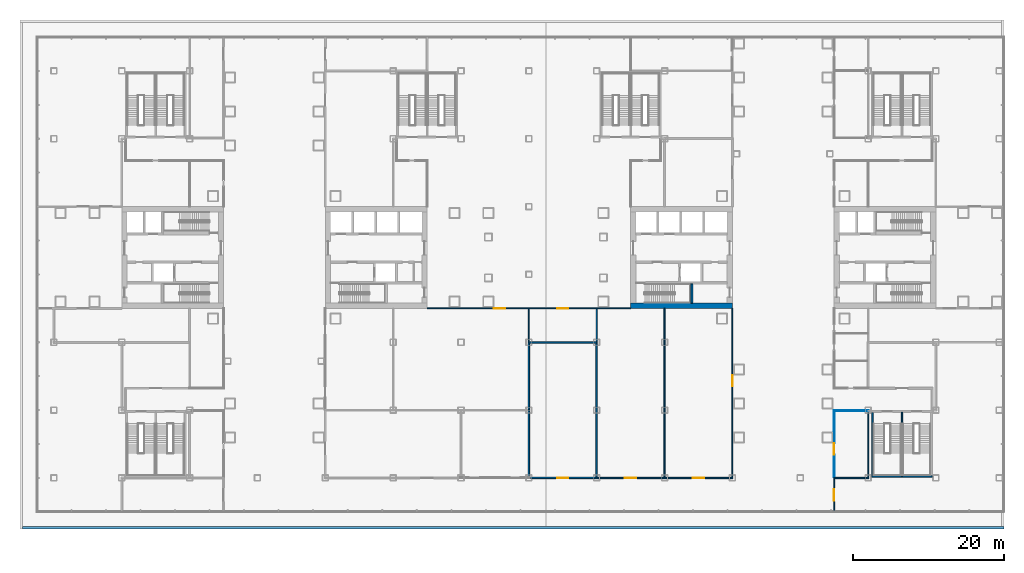
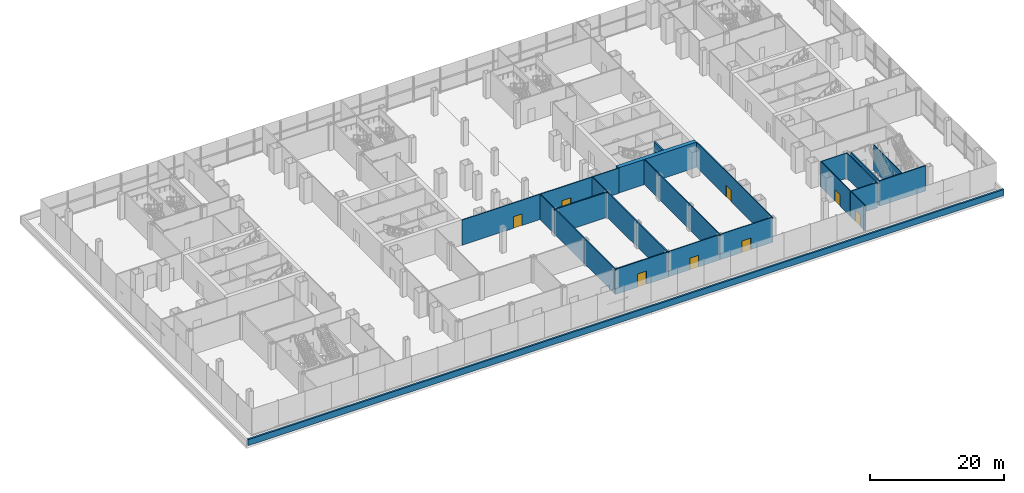
# One storey, part 23 of 33: 23 walls, 8 doors, 8 openings.
"""IFC4 building model written with IfcOpenShell, lengths in metres."""

from ifc_helpers import new_model, si_unit, direction, frame, frame_2d, origin, place, context, subcontext, project, spatial, rectangle, extrude, material, layer, layer_set, type_object, element, fill, save


model = new_model("IFC4")

# Units and contexts
model_context = context("Model", 3, precision=1e-05, world=origin(), true_north=direction((0.0, 1.0)))
body_context = subcontext(model_context, "Body", "Model", "MODEL_VIEW")
ifc_project = project(units=[si_unit("LENGTHUNIT", "METRE"), si_unit("AREAUNIT", "SQUARE_METRE"), si_unit("VOLUMEUNIT", "CUBIC_METRE"), si_unit("PLANEANGLEUNIT", "RADIAN"), si_unit("MASSUNIT", "GRAM", prefix="KILO")], contexts=[model_context])

# Site, building, storey
site_placement = place(None, origin())
site = spatial("IfcSite", under=ifc_project, at=site_placement, CompositionType="ELEMENT")
building_placement = place(site_placement, origin())
building = spatial("IfcBuilding", under=site, at=building_placement, Name="Shamsa Quay Exchange Towers", CompositionType="ELEMENT")
storey_placement = place(building_placement, frame((0.0, 0.0, 18.5)))
storey = spatial("IfcBuildingStorey", under=building, at=storey_placement, Name="L03", CompositionType="ELEMENT", Elevation=18.5)

# Wall
ifc_material_1 = material(Name="Concrete C80/95", Category="concrete")
ifc_layer_1 = layer(ifc_material_1, 0.699951171875)
ifc_layer_set_1 = layer_set([ifc_layer_1], Name="CORE WALL 700 C80/95")
wall_type_1 = type_object("IfcWallType", Name="CORE WALL 700 C80/95", PredefinedType="SHEAR", material=ifc_layer_set_1)
wall_1_placement = place(storey_placement, frame((13.5, -6.39990234375, 0.0)))
element("IfcWall", 1, at=wall_1_placement, inside=storey, type_object=wall_type_1, Name="Core wall T2A-L03-PS", PredefinedType="SHEAR", context=body_context, shape_type="SweptSolid", body=[
    extrude(rectangle(XDim=13.5, YDim=0.699951171875, at=frame_2d((6.75, 0.0))), origin(), (0.0, 0.0, 1.0), 4.60009765625),
])

# Wall, opening, door
ifc_material_2 = material(Name="Laminated fire-resisting glass in a metal frame", Category="glass")
ifc_layer_2 = layer(ifc_material_2, 0.125)
ifc_layer_set_2 = layer_set([ifc_layer_2], Name="Glazed partition 125 mm EI 60")
wall_type_2 = type_object("IfcWallType", Name="Glazed partition 125 mm EI 60", PredefinedType="PARTITIONING", material=ifc_layer_set_2)
wall_2_placement = place(storey_placement, frame((40.5, -20.412109375, 0.0), z_axis=(0.0, 0.0, 1.0), x_axis=(0.0, -1.0, 0.0)))
wall_2 = element("IfcWall", 2, at=wall_2_placement, inside=storey, type_object=wall_type_2, Name="Partition PD-L03-W18", PredefinedType="PARTITIONING", context=body_context, shape_type="SweptSolid", body=[
    extrude(rectangle(XDim=8.762939453125, YDim=0.125, at=frame_2d((4.38134765625, 0.0))), origin(), (0.0, 0.0, 1.0), 4.60009765625),
])
opening_1_placement = place(wall_2_placement, frame((4.23779296875, 0.0, 0.0)))
opening_1 = element("IfcOpeningElement", 3, at=opening_1_placement, cuts=wall_2, Name="Opening PD-L03-D32", PredefinedType="OPENING", context=body_context, shape_type="SweptSolid", body=[
    extrude(rectangle(XDim=1.5, YDim=2.10009765625, at=frame_2d((0.75, 1.050048828125))), frame((0.0, 0.072509765625, 0.0), z_axis=(0.0, -1.0, 0.0), x_axis=(1.0, 0.0, 0.0)), (0.0, 0.0, 1.0), 0.14501953125),
])
ifc_material_3 = material(Name="Timber door leaf in a metal frame", Category="wood")
door_type_1 = type_object("IfcDoorType", Name="Door 1500x2100 FD30S pair", OperationType="NOTDEFINED", PredefinedType="DOOR", material=ifc_material_3)
door_1_placement = place(opening_1_placement, origin())
door_1 = element("IfcDoor", 4, at=door_1_placement, inside=storey, type_object=door_type_1, Name="Door PD-L03-D32", OperationType="DOUBLE_DOOR_SINGLE_SWING", OverallHeight=2.10009765625, OverallWidth=1.5, PredefinedType="DOOR", context=body_context, shape_type="SweptSolid", body=[
    extrude(rectangle(XDim=1.5, YDim=2.10009765625, at=frame_2d((0.75, 1.050048828125))), frame((0.0, 0.02490234375, 0.0), z_axis=(0.0, -1.0, 0.0), x_axis=(1.0, 0.0, 0.0)), (0.0, 0.0, 1.0), 0.050048828125),
])
fill(opening_1, door_1)

# Wall
wall_3_placement = place(storey_placement, frame((45.074951171875, -20.349609375, 0.0), z_axis=(0.0, 0.0, 1.0), x_axis=(-1.0, 0.0, 0.0)))
element("IfcWall", 5, at=wall_3_placement, inside=storey, type_object=wall_type_2, Name="Partition PD-L03-W52", PredefinedType="PARTITIONING", context=body_context, shape_type="SweptSolid", body=[
    extrude(rectangle(XDim=4.637451171875, YDim=0.125, at=frame_2d((2.31884765625, 0.0))), origin(), (0.0, 0.0, 1.0), 4.60009765625),
])

# Wall, opening, door
ifc_material_4 = material(Name="Gypsum board partition on metal studs")
ifc_layer_3 = layer(ifc_material_4, 0.14990234375)
ifc_layer_set_3 = layer_set([ifc_layer_3], Name="Partition 150 mm EI 60")
wall_type_3 = type_object("IfcWallType", Name="Partition 150 mm EI 60", PredefinedType="PARTITIONING", material=ifc_layer_set_3)
wall_4_placement = place(storey_placement, frame((40.5, -29.324951171875, 0.0), z_axis=(0.0, 0.0, 1.0), x_axis=(0.0, -1.0, 0.0)))
wall_4 = element("IfcWall", 6, at=wall_4_placement, inside=storey, type_object=wall_type_3, Name="Partition PD-L03-W10", PredefinedType="PARTITIONING", context=body_context, shape_type="SweptSolid", body=[
    extrude(rectangle(XDim=4.330078125, YDim=0.14990234375, at=frame_2d((2.1650390625, 0.0))), origin(), (0.0, 0.0, 1.0), 4.60009765625),
])
opening_2_placement = place(wall_4_placement, frame((1.425048828125, 0.0, 0.0)))
opening_2 = element("IfcOpeningElement", 7, at=opening_2_placement, cuts=wall_4, Name="Opening PD-L03-D31", PredefinedType="OPENING", context=body_context, shape_type="SweptSolid", body=[
    extrude(rectangle(XDim=1.5, YDim=2.10009765625, at=frame_2d((0.75, 1.050048828125))), frame((0.0, 0.0849609375, 0.0), z_axis=(0.0, -1.0, 0.0), x_axis=(1.0, 0.0, 0.0)), (0.0, 0.0, 1.0), 0.169921875),
])
door_2_placement = place(opening_2_placement, origin())
door_2 = element("IfcDoor", 8, at=door_2_placement, inside=storey, type_object=door_type_1, Name="Door PD-L03-D31", OperationType="DOUBLE_DOOR_SINGLE_SWING", OverallHeight=2.10009765625, OverallWidth=1.5, PredefinedType="DOOR", context=body_context, shape_type="SweptSolid", body=[
    extrude(rectangle(XDim=1.5, YDim=2.10009765625, at=frame_2d((0.75, 1.050048828125))), frame((0.0, 0.02490234375, 0.0), z_axis=(0.0, -1.0, 0.0), x_axis=(1.0, 0.0, 0.0)), (0.0, 0.0, 1.0), 0.050048828125),
])
fill(opening_2, door_2)

wall_5_placement = place(storey_placement, frame((27.0, -6.75, 0.0), z_axis=(0.0, 0.0, 1.0), x_axis=(0.0, -1.0, 0.0)))
wall_5 = element("IfcWall", 9, at=wall_5_placement, inside=storey, type_object=wall_type_3, Name="Partition PD-L03-W11", PredefinedType="PARTITIONING", context=body_context, shape_type="SweptSolid", body=[
    extrude(rectangle(XDim=22.425048828125, YDim=0.14990234375, at=frame_2d((11.21240234375, 0.0))), origin(), (0.0, 0.0, 1.0), 4.60009765625),
])
opening_3_placement = place(wall_5_placement, frame((8.85009765625, 0.0, 0.0)))
opening_3 = element("IfcOpeningElement", 10, at=opening_3_placement, cuts=wall_5, Name="Opening PD-L03-D27", PredefinedType="OPENING", context=body_context, shape_type="SweptSolid", body=[
    extrude(rectangle(XDim=1.5, YDim=2.10009765625, at=frame_2d((0.75, 1.050048828125))), frame((0.0, 0.0849609375, 0.0), z_axis=(0.0, -1.0, 0.0), x_axis=(1.0, 0.0, 0.0)), (0.0, 0.0, 1.0), 0.169921875),
])
door_3_placement = place(opening_3_placement, origin())
door_3 = element("IfcDoor", 11, at=door_3_placement, inside=storey, type_object=door_type_1, Name="Door PD-L03-D27", OperationType="DOUBLE_DOOR_SINGLE_SWING", OverallHeight=2.10009765625, OverallWidth=1.5, PredefinedType="DOOR", context=body_context, shape_type="SweptSolid", body=[
    extrude(rectangle(XDim=1.5, YDim=2.10009765625, at=frame_2d((0.75, 1.050048828125))), frame((0.0, 0.02490234375, 0.0), z_axis=(0.0, -1.0, 0.0), x_axis=(1.0, 0.0, 0.0)), (0.0, 0.0, 1.0), 0.050048828125),
])
fill(opening_3, door_3)

# Wall, openings, doors
wall_6_placement = place(storey_placement, frame((13.5, -6.75, 0.0), z_axis=(0.0, 0.0, 1.0), x_axis=(-1.0, 0.0, 0.0)))
wall_6 = element("IfcWall", 12, at=wall_6_placement, inside=storey, type_object=wall_type_3, Name="Partition PD-L03-W19", PredefinedType="PARTITIONING", context=body_context, shape_type="SweptSolid", body=[
    extrude(rectangle(XDim=27.0, YDim=0.14990234375, at=frame_2d((13.5, 0.0))), origin(), (0.0, 0.0, 1.0), 4.60009765625),
])
opening_4_placement = place(wall_6_placement, frame((8.25, 0.0, 0.0)))
opening_4 = element("IfcOpeningElement", 13, at=opening_4_placement, cuts=wall_6, Name="Opening PD-L03-D23", PredefinedType="OPENING", context=body_context, shape_type="SweptSolid", body=[
    extrude(rectangle(XDim=1.5, YDim=2.10009765625, at=frame_2d((0.75, 1.050048828125))), frame((0.0, 0.0849609375, 0.0), z_axis=(0.0, -1.0, 0.0), x_axis=(1.0, 0.0, 0.0)), (0.0, 0.0, 1.0), 0.169921875),
])
opening_5_placement = place(wall_6_placement, frame((16.64990234375, 0.0, 0.0)))
opening_5 = element("IfcOpeningElement", 14, at=opening_5_placement, cuts=wall_6, Name="Opening PD-L03-D24", PredefinedType="OPENING", context=body_context, shape_type="SweptSolid", body=[
    extrude(rectangle(XDim=1.5, YDim=2.10009765625, at=frame_2d((0.75, 1.050048828125))), frame((0.0, 0.0849609375, 0.0), z_axis=(0.0, -1.0, 0.0), x_axis=(1.0, 0.0, 0.0)), (0.0, 0.0, 1.0), 0.169921875),
])
door_4_placement = place(opening_4_placement, origin())
door_4 = element("IfcDoor", 15, at=door_4_placement, inside=storey, type_object=door_type_1, Name="Door PD-L03-D23", OperationType="DOUBLE_DOOR_SINGLE_SWING", OverallHeight=2.10009765625, OverallWidth=1.5, PredefinedType="DOOR", context=body_context, shape_type="SweptSolid", body=[
    extrude(rectangle(XDim=1.5, YDim=2.10009765625, at=frame_2d((0.75, 1.050048828125))), frame((0.0, 0.02490234375, 0.0), z_axis=(0.0, -1.0, 0.0), x_axis=(1.0, 0.0, 0.0)), (0.0, 0.0, 1.0), 0.050048828125),
])
fill(opening_4, door_4)
door_5_placement = place(opening_5_placement, origin())
door_5 = element("IfcDoor", 16, at=door_5_placement, inside=storey, type_object=door_type_1, Name="Door PD-L03-D24", OperationType="DOUBLE_DOOR_SINGLE_SWING", OverallHeight=2.10009765625, OverallWidth=1.5, PredefinedType="DOOR", context=body_context, shape_type="SweptSolid", body=[
    extrude(rectangle(XDim=1.5, YDim=2.10009765625, at=frame_2d((0.75, 1.050048828125))), frame((0.0, 0.02490234375, 0.0), z_axis=(0.0, -1.0, 0.0), x_axis=(1.0, 0.0, 0.0)), (0.0, 0.0, 1.0), 0.050048828125),
])
fill(opening_5, door_5)

# Wall, opening, door
wall_7_placement = place(storey_placement, frame((8.89990234375, -29.25, 0.0)))
wall_7 = element("IfcWall", 17, at=wall_7_placement, inside=storey, type_object=wall_type_3, Name="Partition PD-L03-W24", PredefinedType="PARTITIONING", context=body_context, shape_type="SweptSolid", body=[
    extrude(rectangle(XDim=9.175048828125, YDim=0.14990234375, at=frame_2d((4.58740234375, 0.0))), origin(), (0.0, 0.0, 1.0), 4.60009765625),
])
opening_6_placement = place(wall_7_placement, frame((3.85009765625, 0.0, 0.0)))
opening_6 = element("IfcOpeningElement", 18, at=opening_6_placement, cuts=wall_7, Name="Opening PD-L03-D22", PredefinedType="OPENING", context=body_context, shape_type="SweptSolid", body=[
    extrude(rectangle(XDim=1.5, YDim=2.10009765625, at=frame_2d((0.75, 1.050048828125))), frame((0.0, 0.0849609375, 0.0), z_axis=(0.0, -1.0, 0.0), x_axis=(1.0, 0.0, 0.0)), (0.0, 0.0, 1.0), 0.169921875),
])
door_6_placement = place(opening_6_placement, origin())
door_6 = element("IfcDoor", 19, at=door_6_placement, inside=storey, type_object=door_type_1, Name="Door PD-L03-D22", OperationType="DOUBLE_DOOR_SINGLE_SWING", OverallHeight=2.10009765625, OverallWidth=1.5, PredefinedType="DOOR", context=body_context, shape_type="SweptSolid", body=[
    extrude(rectangle(XDim=1.5, YDim=2.10009765625, at=frame_2d((0.75, 1.050048828125))), frame((0.0, 0.02490234375, 0.0), z_axis=(0.0, -1.0, 0.0), x_axis=(1.0, 0.0, 0.0)), (0.0, 0.0, 1.0), 0.050048828125),
])
fill(opening_6, door_6)

# Wall
wall_8_placement = place(storey_placement, frame((45.074951171875, -29.25, 0.0), z_axis=(0.0, 0.0, 1.0), x_axis=(-1.0, 0.0, 0.0)))
element("IfcWall", 20, at=wall_8_placement, inside=storey, type_object=wall_type_3, Name="Partition PD-L03-W25", PredefinedType="PARTITIONING", context=body_context, shape_type="SweptSolid", body=[
    extrude(rectangle(XDim=4.64990234375, YDim=0.14990234375, at=frame_2d((2.324951171875, 0.0))), origin(), (0.0, 0.0, 1.0), 4.60009765625),
])

# Wall, opening, door
wall_9_placement = place(storey_placement, frame((27.074951171875, -29.25, 0.0), z_axis=(0.0, 0.0, 1.0), x_axis=(-1.0, 0.0, 0.0)))
wall_9 = element("IfcWall", 21, at=wall_9_placement, inside=storey, type_object=wall_type_3, Name="Partition PD-L03-W26", PredefinedType="PARTITIONING", context=body_context, shape_type="SweptSolid", body=[
    extrude(rectangle(XDim=9.14990234375, YDim=0.14990234375, at=frame_2d((4.574951171875, 0.0))), origin(), (0.0, 0.0, 1.0), 4.60009765625),
])
opening_7_placement = place(wall_9_placement, frame((3.824951171875, 0.0, 0.0)))
opening_7 = element("IfcOpeningElement", 22, at=opening_7_placement, cuts=wall_9, Name="Opening PD-L03-D26", PredefinedType="OPENING", context=body_context, shape_type="SweptSolid", body=[
    extrude(rectangle(XDim=1.5, YDim=2.10009765625, at=frame_2d((0.75, 1.050048828125))), frame((0.0, 0.0849609375, 0.0), z_axis=(0.0, -1.0, 0.0), x_axis=(1.0, 0.0, 0.0)), (0.0, 0.0, 1.0), 0.169921875),
])
door_7_placement = place(opening_7_placement, origin())
door_7 = element("IfcDoor", 23, at=door_7_placement, inside=storey, type_object=door_type_1, Name="Door PD-L03-D26", OperationType="DOUBLE_DOOR_SINGLE_SWING", OverallHeight=2.10009765625, OverallWidth=1.5, PredefinedType="DOOR", context=body_context, shape_type="SweptSolid", body=[
    extrude(rectangle(XDim=1.5, YDim=2.10009765625, at=frame_2d((0.75, 1.050048828125))), frame((0.0, 0.02490234375, 0.0), z_axis=(0.0, -1.0, 0.0), x_axis=(1.0, 0.0, 0.0)), (0.0, 0.0, 1.0), 0.050048828125),
])
fill(opening_7, door_7)

# Walls
wall_10_placement = place(storey_placement, frame((45.0, -20.424560546875, 0.0), z_axis=(0.0, 0.0, 1.0), x_axis=(0.0, -1.0, 0.0)))
element("IfcWall", 24, at=wall_10_placement, inside=storey, type_object=wall_type_3, Name="Partition PD-L03-W78", PredefinedType="PARTITIONING", context=body_context, shape_type="SweptSolid", body=[
    extrude(rectangle(XDim=8.75048828125, YDim=0.14990234375, at=frame_2d((4.375244140625, 0.0))), origin(), (0.0, 0.0, 1.0), 4.60009765625),
])
wall_11_placement = place(storey_placement, frame((0.0, -11.14990234375, 0.0), z_axis=(0.0, 0.0, 1.0), x_axis=(0.0, 1.0, 0.0)))
element("IfcWall", 25, at=wall_11_placement, inside=storey, type_object=wall_type_3, Name="Partition PD-L03-W83", PredefinedType="PARTITIONING", context=body_context, shape_type="SweptSolid", body=[
    extrude(rectangle(XDim=4.324951171875, YDim=0.14990234375, at=frame_2d((2.16259765625, 0.0))), origin(), (0.0, 0.0, 1.0), 4.60009765625),
])
wall_12_placement = place(storey_placement, frame((18.0, -29.175048828125, 0.0), z_axis=(0.0, 0.0, 1.0), x_axis=(0.0, 1.0, 0.0)))
element("IfcWall", 26, at=wall_12_placement, inside=storey, type_object=wall_type_3, Name="Partition PD-L03-W84", PredefinedType="PARTITIONING", context=body_context, shape_type="SweptSolid", body=[
    extrude(rectangle(XDim=22.425048828125, YDim=0.14990234375, at=frame_2d((11.21240234375, 0.0))), origin(), (0.0, 0.0, 1.0), 4.60009765625),
])
wall_13_placement = place(storey_placement, frame((9.0, -6.824951171875, 0.0), z_axis=(0.0, 0.0, 1.0), x_axis=(0.0, -1.0, 0.0)))
element("IfcWall", 27, at=wall_13_placement, inside=storey, type_object=wall_type_3, Name="Partition PD-L03-W86", PredefinedType="PARTITIONING", context=body_context, shape_type="SweptSolid", body=[
    extrude(rectangle(XDim=4.324951171875, YDim=0.14990234375, at=frame_2d((2.16259765625, 0.0))), origin(), (0.0, 0.0, 1.0), 4.60009765625),
])

# Wall, opening, door
ifc_layer_4 = layer(ifc_material_4, 0.199951171875)
ifc_layer_set_4 = layer_set([ifc_layer_4], Name="Partition 200 mm EI 90")
wall_type_4 = type_object("IfcWallType", Name="Partition 200 mm EI 90", PredefinedType="PARTITIONING", material=ifc_layer_set_4)
wall_14_placement = place(storey_placement, frame((-0.10009765625, -29.25, 0.0)))
wall_14 = element("IfcWall", 28, at=wall_14_placement, inside=storey, type_object=wall_type_4, Name="Partition PD-L03-W30", PredefinedType="PARTITIONING", context=body_context, shape_type="SweptSolid", body=[
    extrude(rectangle(XDim=9.2001953125, YDim=0.199951171875, at=frame_2d((4.60009765625, 0.0))), origin(), (0.0, 0.0, 1.0), 4.60009765625),
])
opening_8_placement = place(wall_14_placement, frame((3.85009765625, 0.0, 0.0)))
opening_8 = element("IfcOpeningElement", 29, at=opening_8_placement, cuts=wall_14, Name="Opening PD-L03-D20", PredefinedType="OPENING", context=body_context, shape_type="SweptSolid", body=[
    extrude(rectangle(XDim=1.5, YDim=2.39990234375, at=frame_2d((0.75, 1.199951171875))), frame((0.0, 0.10986328125, 0.0), z_axis=(0.0, -1.0, 0.0), x_axis=(1.0, 0.0, 0.0)), (0.0, 0.0, 1.0), 0.219970703125),
])
door_type_2 = type_object("IfcDoorType", Name="Door 1500x2400 FD30S pair", OperationType="NOTDEFINED", PredefinedType="DOOR", material=ifc_material_3)
door_8_placement = place(opening_8_placement, origin())
door_8 = element("IfcDoor", 30, at=door_8_placement, inside=storey, type_object=door_type_2, Name="Door PD-L03-D20", OperationType="DOUBLE_DOOR_SINGLE_SWING", OverallHeight=2.39990234375, OverallWidth=1.5, PredefinedType="DOOR", context=body_context, shape_type="SweptSolid", body=[
    extrude(rectangle(XDim=1.5, YDim=2.39990234375, at=frame_2d((0.75, 1.199951171875))), frame((0.0, 0.02490234375, 0.0), z_axis=(0.0, -1.0, 0.0), x_axis=(1.0, 0.0, 0.0)), (0.0, 0.0, 1.0), 0.050048828125),
])
fill(opening_8, door_8)

# Walls
wall_15_placement = place(storey_placement, frame((9.10009765625, -11.25, 0.0), z_axis=(0.0, 0.0, 1.0), x_axis=(-1.0, 0.0, 0.0)))
element("IfcWall", 31, at=wall_15_placement, inside=storey, type_object=wall_type_4, Name="Partition PD-L03-W66", PredefinedType="PARTITIONING", context=body_context, shape_type="SweptSolid", body=[
    extrude(rectangle(XDim=9.2001953125, YDim=0.199951171875, at=frame_2d((4.60009765625, 0.0))), origin(), (0.0, 0.0, 1.0), 4.60009765625),
])
wall_16_placement = place(storey_placement, frame((0.0, -20.175048828125, 0.0), z_axis=(0.0, 0.0, 1.0), x_axis=(0.0, 1.0, 0.0)))
element("IfcWall", 32, at=wall_16_placement, inside=storey, type_object=wall_type_4, Name="Partition PD-L03-W81", PredefinedType="PARTITIONING", context=body_context, shape_type="SweptSolid", body=[
    extrude(rectangle(XDim=8.824951171875, YDim=0.199951171875, at=frame_2d((4.41259765625, 0.0))), origin(), (0.0, 0.0, 1.0), 4.60009765625),
])
wall_17_placement = place(storey_placement, frame((9.0, -11.35009765625, 0.0), z_axis=(0.0, 0.0, 1.0), x_axis=(0.0, -1.0, 0.0)))
element("IfcWall", 33, at=wall_17_placement, inside=storey, type_object=wall_type_4, Name="Partition PD-L03-W85", PredefinedType="PARTITIONING", context=body_context, shape_type="SweptSolid", body=[
    extrude(rectangle(XDim=17.7998046875, YDim=0.199951171875, at=frame_2d((8.89990234375, 0.0))), origin(), (0.0, 0.0, 1.0), 4.60009765625),
])
wall_18_placement = place(storey_placement, frame((0.0, -20.324951171875, 0.0), z_axis=(0.0, 0.0, 1.0), x_axis=(0.0, -1.0, 0.0)))
element("IfcWall", 34, at=wall_18_placement, inside=storey, type_object=wall_type_4, Name="Partition PD-L03-W91", PredefinedType="PARTITIONING", context=body_context, shape_type="SweptSolid", body=[
    extrude(rectangle(XDim=8.824951171875, YDim=0.199951171875, at=frame_2d((4.41259765625, 0.0))), origin(), (0.0, 0.0, 1.0), 4.60009765625),
])
ifc_material_5 = material(Name="Reinforced concrete C30/37", Category="concrete")
ifc_layer_5 = layer(ifc_material_5, 0.300048828125)
ifc_layer_set_5 = layer_set([ifc_layer_5], Name="ROOF PARAPET 300 C30/37")
wall_type_5 = type_object("IfcWallType", Name="ROOF PARAPET 300 C30/37", PredefinedType="PARAPET", material=ifc_layer_set_5)
wall_19_placement = place(storey_placement, frame((-67.199951171875, -35.85009765625, 0.0)))
element("IfcWall", 35, at=wall_19_placement, inside=storey, type_object=wall_type_5, Name="Parapet L02 4", PredefinedType="PARAPET", context=body_context, shape_type="SweptSolid", body=[
    extrude(rectangle(XDim=130.199951171875, YDim=0.300048828125, at=frame_2d((65.10009765625, 0.0))), origin(), (0.0, 0.0, 1.0), 1.10009765625),
])
ifc_material_6 = material(Name="Concrete C50/60", Category="concrete")
ifc_layer_6 = layer(ifc_material_6, 0.25)
ifc_layer_set_6 = layer_set([ifc_layer_6], Name="SHAFT WALL 250 C50/60")
wall_type_6 = type_object("IfcWallType", Name="SHAFT WALL 250 C50/60", PredefinedType="SHEAR", material=ifc_layer_set_6)
wall_20_placement = place(storey_placement, frame((21.625, -6.050048828125, 0.0), z_axis=(0.0, 0.0, 1.0), x_axis=(0.0, 1.0, 0.0)))
element("IfcWall", 36, at=wall_20_placement, inside=storey, type_object=wall_type_6, Name="Shaft wall T2A-L03-STF", PredefinedType="SHEAR", context=body_context, shape_type="SweptSolid", body=[
    extrude(rectangle(XDim=2.550048828125, YDim=0.25, at=frame_2d((1.27490234375, 0.0))), origin(), (0.0, 0.0, 1.0), 4.60009765625),
])
ifc_layer_7 = layer(ifc_material_6, 0.199951171875)
ifc_layer_set_7 = layer_set([ifc_layer_7], Name="STAIR ENCLOSURE WALL 200 C50/60")
wall_type_7 = type_object("IfcWallType", Name="STAIR ENCLOSURE WALL 200 C50/60", PredefinedType="SHEAR", material=ifc_layer_set_7)
wall_21_placement = place(storey_placement, frame((45.5, -29.050048828125, 0.0)))
element("IfcWall", 37, at=wall_21_placement, inside=storey, type_object=wall_type_7, Name="Stair enclosure wall PS6 outward", PredefinedType="SHEAR", context=body_context, shape_type="SweptSolid", body=[
    extrude(rectangle(XDim=8.0, YDim=0.199951171875, at=frame_2d((4.0, 0.0))), origin(), (0.0, 0.0, 1.0), 4.60009765625),
])
wall_22_placement = place(storey_placement, frame((45.60009765625, -28.949951171875, 0.0), z_axis=(0.0, 0.0, 1.0), x_axis=(0.0, 1.0, 0.0)))
element("IfcWall", 38, at=wall_22_placement, inside=storey, type_object=wall_type_7, Name="Stair enclosure wall PS6 west", PredefinedType="SHEAR", context=body_context, shape_type="SweptSolid", body=[
    extrude(rectangle(XDim=8.39990234375, YDim=0.199951171875, at=frame_2d((4.199951171875, 0.0))), origin(), (0.0, 0.0, 1.0), 4.60009765625),
])
ifc_layer_8 = layer(ifc_material_6, 0.14990234375)
ifc_layer_set_8 = layer_set([ifc_layer_8], Name="STAIR PARTITION WALL 150 C50/60")
wall_type_8 = type_object("IfcWallType", Name="STAIR PARTITION WALL 150 C50/60", PredefinedType="SHEAR", material=ifc_layer_set_8)
wall_23_placement = place(storey_placement, frame((49.5, -28.949951171875, 0.0), z_axis=(0.0, 0.0, 1.0), x_axis=(0.0, 1.0, 0.0)))
element("IfcWall", 39, at=wall_23_placement, inside=storey, type_object=wall_type_8, Name="Stair enclosure wall PS6 between the stairs", PredefinedType="SHEAR", context=body_context, shape_type="SweptSolid", body=[
    extrude(rectangle(XDim=8.39990234375, YDim=0.14990234375, at=frame_2d((4.199951171875, 0.0))), origin(), (0.0, 0.0, 1.0), 4.60009765625),
])

save(model, "model.ifc")
